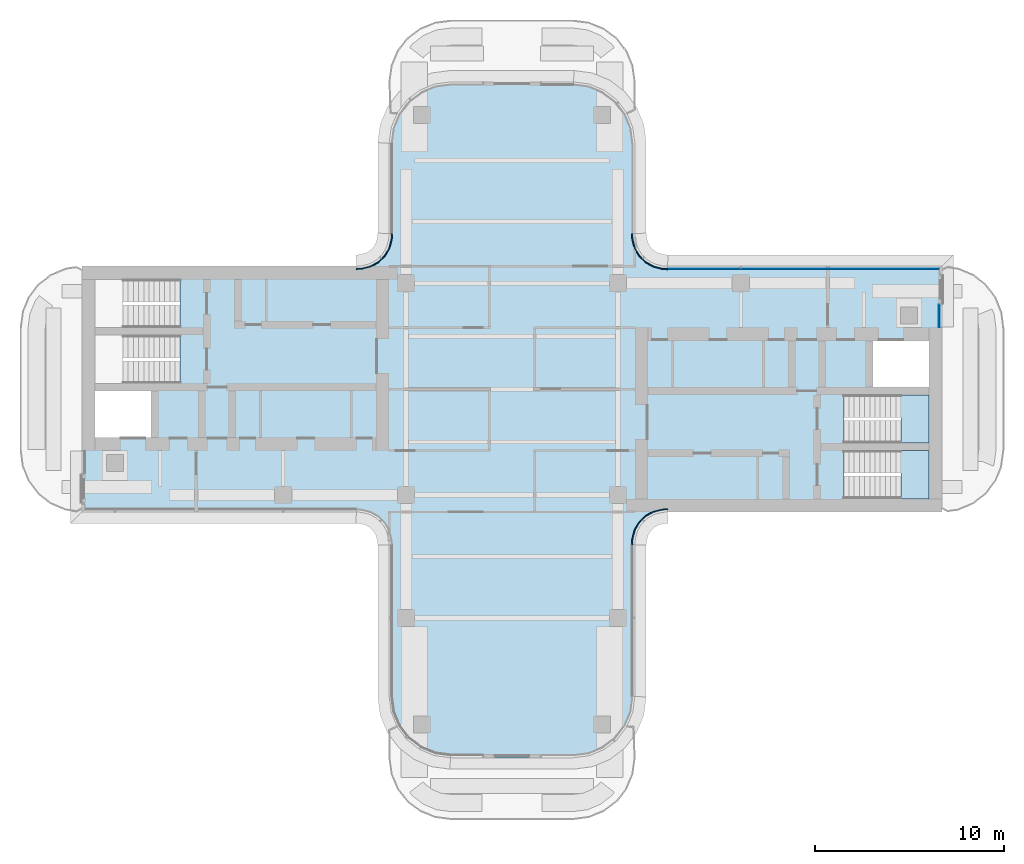
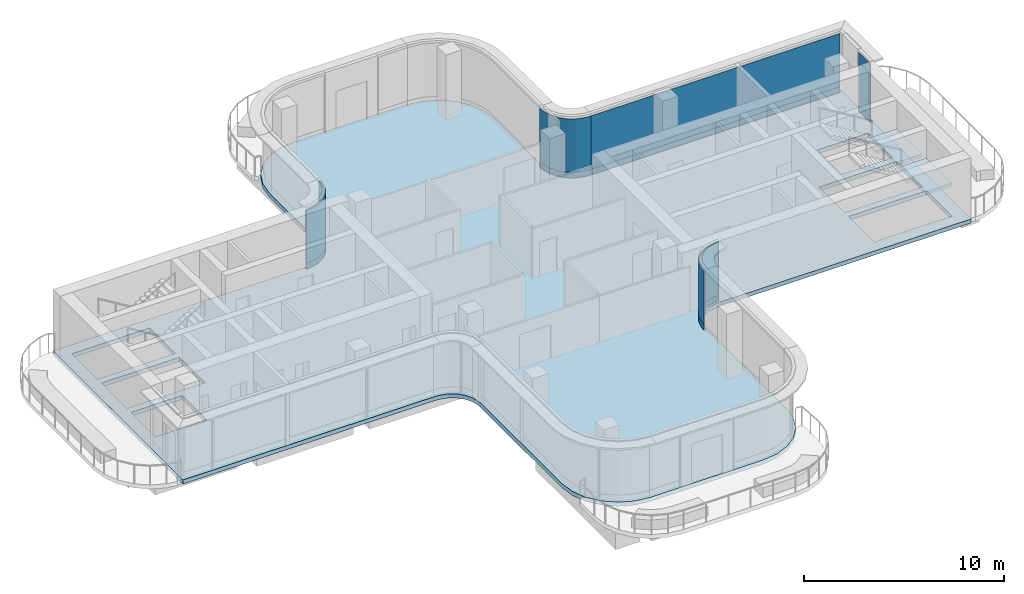
# One storey, part 10 of 18: 10 plates, 3 slabs, 7 elements without a shape of their own.
"""IFC4 building model written with IfcOpenShell, lengths in metres."""

from ifc_helpers import new_model, si_unit, direction, frame, origin, place, context, subcontext, project, spatial, polyline, outline, extrude, source, transform, mapped, material, layer, layer_set, type_object, element, aggregate, save


model = new_model("IFC4")

# Units and contexts
model_context = context("Model", 3, precision=1e-05, world=origin(), true_north=direction((0.0, 1.0)))
body_context = subcontext(model_context, "Body", "Model", "MODEL_VIEW")
ifc_project = project(units=[si_unit("LENGTHUNIT", "METRE"), si_unit("AREAUNIT", "SQUARE_METRE"), si_unit("VOLUMEUNIT", "CUBIC_METRE"), si_unit("PLANEANGLEUNIT", "RADIAN"), si_unit("MASSUNIT", "GRAM", prefix="KILO")], contexts=[model_context])

# Site, building, storey
site_placement = place(None, origin())
site = spatial("IfcSite", under=ifc_project, at=site_placement, CompositionType="ELEMENT")
building_placement = place(site_placement, origin())
building = spatial("IfcBuilding", under=site, at=building_placement, Name="Trellis Farm Tower", CompositionType="ELEMENT")
storey_placement = place(building_placement, frame((0.0, 0.0, 338.10009765625)))
storey = spatial("IfcBuildingStorey", under=building, at=storey_placement, Name="L76", CompositionType="ELEMENT", Elevation=338.10009765625)

# Curtain wall, plates
ifc_material_1 = material(Name="Aluminium and glass curtain wall", Category="aluminium")
ifc_layer_1 = layer(ifc_material_1, 0.176025390625)
ifc_layer_set_1 = layer_set([ifc_layer_1], Name="CROWN LANTERN CURTAIN WALL CW5")
curtain_wall_type = type_object("IfcCurtainWallType", Name="CROWN LANTERN CURTAIN WALL CW5", PredefinedType="NOTDEFINED", material=ifc_layer_set_1)
placement_1 = place(storey_placement, origin())
curtain_wall_1 = element("IfcCurtainWall", 1, at=placement_1, inside=storey, type_object=curtain_wall_type, Name="CW5 006", PredefinedType="NOTDEFINED")
ifc_material_2 = material(Name="Clear insulated glass", Category="glass")
ifc_layer_2 = layer(ifc_material_2, 0.055908203125)
ifc_layer_set_2 = layer_set([ifc_layer_2], Name="CW5 GLASS PANEL 56")
plate_type_1 = type_object("IfcPlateType", Name="CW5 GLASS PANEL 56", PredefinedType="CURTAIN_PANEL", material=ifc_layer_set_2)
placement_2 = place(storey_placement, frame((0.0, 0.0, 0.349853515625)))
plate_1 = element("IfcPlate", 2, at=placement_2, type_object=plate_type_1, Name="PL5 006", PredefinedType="CURTAIN_PANEL", context=body_context, shape_type="SweptSolid", body=[
    extrude(outline(polyline([(22.6298828125, 3.280029296875), (22.6298828125, 4.4599609375), (22.573974609375, 4.4599609375), (22.573974609375, 3.280029296875), (22.6298828125, 3.280029296875)])), origin(), (0.0, 0.0, 1.0), 3.25),
])
ifc_material_3 = material(Name="Sandstone faced insulated panel", Category="masonry")
ifc_layer_3 = layer(ifc_material_3, 0.044921875)
ifc_layer_set_3 = layer_set([ifc_layer_3], Name="CW5 STONE SPANDREL PANEL 45")
plate_type_2 = type_object("IfcPlateType", Name="CW5 STONE SPANDREL PANEL 45", PredefinedType="CURTAIN_PANEL", material=ifc_layer_set_3)
plate_2 = element("IfcPlate", 3, at=placement_1, type_object=plate_type_2, Name="PS5 006", PredefinedType="CURTAIN_PANEL", context=body_context, shape_type="SweptSolid", body=[
    extrude(outline(polyline([(22.6298828125, 3.280029296875), (22.6298828125, 4.4599609375), (22.5849609375, 4.4599609375), (22.5849609375, 3.280029296875), (22.6298828125, 3.280029296875)])), origin(), (0.0, 0.0, 1.0), 0.349853515625),
])
aggregate(curtain_wall_1, [plate_1, plate_2])

# Slab
ifc_material_4 = material(Name="Concrete C40/50", Category="concrete")
ifc_layer_4 = layer(ifc_material_4, 0.25)
ifc_layer_set_4 = layer_set([ifc_layer_4], Name="Composite deck floor slab 250")
slab_type_1 = type_object("IfcSlabType", Name="Composite deck floor slab 250", PredefinedType="FLOOR", material=ifc_layer_set_4)
shared_shape_1 = source(origin(), body_context, "Body", "SweptSolid", [
    extrude(outline(polyline([(-22.75, 6.5), (-8.2314453125, 6.5), (-8.01953125, 6.513916015625), (-7.91552734375, 6.527587890625), (-7.508544921875, 6.63671875), (-7.144287109375, 6.846923828125), (-6.846923828125, 7.144287109375), (-6.63671875, 7.508544921875), (-6.527587890625, 7.91552734375), (-6.513916015625, 8.01953125), (-6.5, 8.2314453125), (-6.5, 13.0), (-6.389404296875, 13.84130859375), (-6.064697265625, 14.625), (-5.548095703125, 15.298095703125), (-4.875, 15.814697265625), (-4.09130859375, 16.139404296875), (-3.25, 16.25), (3.25, 16.25), (4.09130859375, 16.139404296875), (4.875, 15.814697265625), (5.548095703125, 15.298095703125), (6.064697265625, 14.625), (6.389404296875, 13.84130859375), (6.5, 13.0), (6.5, 8.2314453125), (6.513916015625, 8.01953125), (6.527587890625, 7.91552734375), (6.63671875, 7.508544921875), (6.846923828125, 7.144287109375), (7.144287109375, 6.846923828125), (7.508544921875, 6.63671875), (7.91552734375, 6.527587890625), (8.01953125, 6.513916015625), (8.2314453125, 6.5), (22.75, 6.5), (22.75, -6.5), (8.2314453125, -6.5), (8.01953125, -6.513916015625), (7.91552734375, -6.527587890625), (7.508544921875, -6.63671875), (7.144287109375, -6.846923828125), (6.846923828125, -7.144287109375), (6.63671875, -7.508544921875), (6.527587890625, -7.91552734375), (6.513916015625, -8.01953125), (6.5, -8.2314453125), (6.5, -16.25), (6.389404296875, -17.09130859375), (6.064697265625, -17.875), (5.548095703125, -18.548095703125), (4.875, -19.064697265625), (4.09130859375, -19.389404296875), (3.25, -19.5), (-3.25, -19.5), (-4.09130859375, -19.389404296875), (-4.875, -19.064697265625), (-5.548095703125, -18.548095703125), (-6.064697265625, -17.875), (-6.389404296875, -17.09130859375), (-6.5, -16.25), (-6.5, -8.2314453125), (-6.513916015625, -8.01953125), (-6.527587890625, -7.91552734375), (-6.63671875, -7.508544921875), (-6.846923828125, -7.144287109375), (-7.144287109375, -6.846923828125), (-7.508544921875, -6.63671875), (-7.91552734375, -6.527587890625), (-8.01953125, -6.513916015625), (-8.2314453125, -6.5), (-22.75, -6.5), (-22.75, 6.5)]), holes=[polyline([(22.050048828125, -5.800048828125), (22.050048828125, -3.25), (17.56005859375, -3.25), (17.56005859375, -4.449951171875), (17.550048828125, -4.449951171875), (17.550048828125, -4.60009765625), (17.56201171875, -4.60009765625), (17.56201171875, -5.800048828125), (22.050048828125, -5.800048828125)]), polyline([(17.56201171875, -2.85009765625), (22.050048828125, -2.85009765625), (22.050048828125, -0.300048828125), (17.56005859375, -0.300048828125), (17.56005859375, -1.5), (17.550048828125, -1.5), (17.550048828125, -1.64990234375), (17.56201171875, -1.64990234375), (17.56201171875, -2.85009765625)]), polyline([(-22.050048828125, -2.550048828125), (-19.10009765625, -2.550048828125), (-19.10009765625, -0.10009765625), (-22.050048828125, -0.10009765625), (-22.050048828125, -2.550048828125)]), polyline([(19.10009765625, 2.550048828125), (19.10009765625, 0.10009765625), (22.050048828125, 0.10009765625), (22.050048828125, 2.550048828125), (19.10009765625, 2.550048828125)]), polyline([(-17.56201171875, 2.85009765625), (-22.050048828125, 2.85009765625), (-22.050048828125, 0.300048828125), (-17.56005859375, 0.300048828125), (-17.56005859375, 1.5), (-17.550048828125, 1.5), (-17.550048828125, 1.64990234375), (-17.56201171875, 1.64990234375), (-17.56201171875, 2.85009765625)]), polyline([(-17.56201171875, 5.800048828125), (-22.050048828125, 5.800048828125), (-22.050048828125, 3.25), (-17.56005859375, 3.25), (-17.56005859375, 4.449951171875), (-17.550048828125, 4.449951171875), (-17.550048828125, 4.60009765625), (-17.56201171875, 4.60009765625), (-17.56201171875, 5.800048828125)])]), origin(), (0.0, 0.0, 1.0), 0.25),
])
slab_1_placement = place(storey_placement, frame((0.0, 0.0, -0.25)))
element("IfcSlab", 4, at=slab_1_placement, inside=storey, type_object=slab_type_1, Name="Floor slab", PredefinedType="FLOOR", context=body_context, shape_type="MappedRepresentation", body=[
    mapped(shared_shape_1, transform((0.0, 0.0, 0.0))),
])

# Stair, slab
ifc_material_5 = material(Name="Concrete C50/60", Category="concrete")
stair_type = type_object("IfcStairType", Name="CORE EXIT STAIR 24 RISERS 167 MM", PredefinedType="HALF_TURN_STAIR", material=ifc_material_5)
stair_1 = element("IfcStair", 5, at=placement_1, inside=storey, type_object=stair_type, Name="Exit stair E1", PredefinedType="HALF_TURN_STAIR")
ifc_layer_5 = layer(ifc_material_5, 0.179931640625)
ifc_layer_set_5 = layer_set([ifc_layer_5], Name="CORE STAIR LANDING 180 CONCRETE C50/60")
slab_type_2 = type_object("IfcSlabType", Name="CORE STAIR LANDING 180 CONCRETE C50/60", PredefinedType="LANDING", material=ifc_layer_set_5)
shared_shape_2 = source(origin(), body_context, "Body", "SweptSolid", [
    extrude(outline(polyline([(20.56494140625, -5.800048828125), (20.56494140625, -4.60009765625), (20.574951171875, -4.60009765625), (20.574951171875, -4.449951171875), (20.21240234375, -4.449951171875), (20.21240234375, -3.25), (20.574951171875, -3.25), (22.050048828125, -3.25), (22.050048828125, -5.800048828125), (20.574951171875, -5.800048828125), (20.56494140625, -5.800048828125)])), origin(), (0.0, 0.0, 1.0), 0.18017578125),
])
placement_3 = place(storey_placement, frame((0.0, 0.0, 1.81982421875)))
slab_2 = element("IfcSlab", 6, at=placement_3, type_object=slab_type_2, Name="STE1 landing 1", PredefinedType="LANDING", context=body_context, shape_type="MappedRepresentation", body=[
    mapped(shared_shape_2, transform((0.0, 0.0, 0.0))),
])
aggregate(stair_1, [slab_2])

stair_2 = element("IfcStair", 7, at=placement_1, inside=storey, type_object=stair_type, Name="Exit stair E2", PredefinedType="HALF_TURN_STAIR")
shared_shape_3 = source(origin(), body_context, "Body", "SweptSolid", [
    extrude(outline(polyline([(20.56494140625, -2.85009765625), (20.56494140625, -1.64990234375), (20.574951171875, -1.64990234375), (20.574951171875, -1.5), (20.21240234375, -1.5), (20.21240234375, -0.300048828125), (20.574951171875, -0.300048828125), (22.050048828125, -0.300048828125), (22.050048828125, -2.85009765625), (20.574951171875, -2.85009765625), (20.56494140625, -2.85009765625)])), origin(), (0.0, 0.0, 1.0), 0.18017578125),
])
slab_3 = element("IfcSlab", 8, at=placement_3, type_object=slab_type_2, Name="STE2 landing 1", PredefinedType="LANDING", context=body_context, shape_type="MappedRepresentation", body=[
    mapped(shared_shape_3, transform((0.0, 0.0, 0.0))),
])
aggregate(stair_2, [slab_3])

# Curtain wall, plates
curtain_wall_2 = element("IfcCurtainWall", 9, at=placement_1, inside=storey, type_object=curtain_wall_type, Name="CW5 005", PredefinedType="NOTDEFINED")
shared_shape_4 = source(origin(), body_context, "Body", "SweptSolid", [
    extrude(outline(polyline([(6.3798828125, -8.2275390625), (6.394287109375, -8.0078125), (6.40966796875, -7.89208984375), (6.52490234375, -7.462158203125), (6.7509765625, -7.070556640625), (7.070556640625, -6.7509765625), (7.462158203125, -6.52490234375), (7.89208984375, -6.40966796875), (8.0078125, -6.394287109375), (8.2275390625, -6.3798828125), (8.2255859375, -6.323974609375), (8.002197265625, -6.338623046875), (7.881103515625, -6.3544921875), (7.440673828125, -6.47265625), (7.0361328125, -6.7060546875), (6.7060546875, -7.0361328125), (6.47265625, -7.440673828125), (6.3544921875, -7.881103515625), (6.338623046875, -8.002197265625), (6.323974609375, -8.2255859375), (6.3798828125, -8.2275390625)])), origin(), (0.0, 0.0, 1.0), 3.25),
])
plate_3 = element("IfcPlate", 10, at=placement_2, type_object=plate_type_1, Name="PL5 005", PredefinedType="CURTAIN_PANEL", context=body_context, shape_type="MappedRepresentation", body=[
    mapped(shared_shape_4, transform((0.0, 0.0, 0.0))),
])
shared_shape_5 = source(origin(), body_context, "Body", "SweptSolid", [
    extrude(outline(polyline([(6.3798828125, -8.2275390625), (6.394287109375, -8.0078125), (6.40966796875, -7.89208984375), (6.52490234375, -7.462158203125), (6.7509765625, -7.070556640625), (7.070556640625, -6.7509765625), (7.462158203125, -6.52490234375), (7.89208984375, -6.40966796875), (8.0078125, -6.394287109375), (8.2275390625, -6.3798828125), (8.22607421875, -6.3349609375), (8.00341796875, -6.349609375), (7.88330078125, -6.365478515625), (7.44482421875, -6.48291015625), (7.04296875, -6.71484375), (6.71484375, -7.04296875), (6.48291015625, -7.44482421875), (6.365478515625, -7.88330078125), (6.349609375, -8.00341796875), (6.3349609375, -8.22607421875), (6.3798828125, -8.2275390625)])), origin(), (0.0, 0.0, 1.0), 0.349853515625),
])
plate_4 = element("IfcPlate", 11, at=placement_1, type_object=plate_type_2, Name="PS5 005", PredefinedType="CURTAIN_PANEL", context=body_context, shape_type="MappedRepresentation", body=[
    mapped(shared_shape_5, transform((0.0, 0.0, 0.0))),
])
aggregate(curtain_wall_2, [plate_3, plate_4])

curtain_wall_3 = element("IfcCurtainWall", 12, at=placement_1, inside=storey, type_object=curtain_wall_type, Name="CW5 008", PredefinedType="NOTDEFINED")
shared_shape_6 = source(origin(), body_context, "Body", "SweptSolid", [
    extrude(outline(polyline([(22.6298828125, 6.3798828125), (8.2275390625, 6.3798828125), (8.2255859375, 6.323974609375), (22.573974609375, 6.323974609375), (22.6298828125, 6.3798828125)])), origin(), (0.0, 0.0, 1.0), 3.25),
])
plate_5 = element("IfcPlate", 13, at=placement_2, type_object=plate_type_1, Name="PL5 008", PredefinedType="CURTAIN_PANEL", context=body_context, shape_type="MappedRepresentation", body=[
    mapped(shared_shape_6, transform((0.0, 0.0, 0.0))),
])
shared_shape_7 = source(origin(), body_context, "Body", "SweptSolid", [
    extrude(outline(polyline([(22.6298828125, 6.3798828125), (8.2275390625, 6.3798828125), (8.22607421875, 6.3349609375), (22.5849609375, 6.3349609375), (22.6298828125, 6.3798828125)])), origin(), (0.0, 0.0, 1.0), 0.349853515625),
])
plate_6 = element("IfcPlate", 14, at=placement_1, type_object=plate_type_2, Name="PS5 008", PredefinedType="CURTAIN_PANEL", context=body_context, shape_type="MappedRepresentation", body=[
    mapped(shared_shape_7, transform((0.0, 0.0, 0.0))),
])
aggregate(curtain_wall_3, [plate_5, plate_6])

curtain_wall_4 = element("IfcCurtainWall", 15, at=placement_1, inside=storey, type_object=curtain_wall_type, Name="CW5 009", PredefinedType="NOTDEFINED")
shared_shape_8 = source(origin(), body_context, "Body", "SweptSolid", [
    extrude(outline(polyline([(8.2275390625, 6.3798828125), (8.0078125, 6.394287109375), (7.89208984375, 6.40966796875), (7.462158203125, 6.52490234375), (7.070556640625, 6.7509765625), (6.7509765625, 7.070556640625), (6.52490234375, 7.462158203125), (6.40966796875, 7.89208984375), (6.394287109375, 8.0078125), (6.3798828125, 8.2275390625), (6.323974609375, 8.2255859375), (6.338623046875, 8.002197265625), (6.3544921875, 7.881103515625), (6.47265625, 7.440673828125), (6.7060546875, 7.0361328125), (7.0361328125, 6.7060546875), (7.440673828125, 6.47265625), (7.881103515625, 6.3544921875), (8.002197265625, 6.338623046875), (8.2255859375, 6.323974609375), (8.2275390625, 6.3798828125)])), origin(), (0.0, 0.0, 1.0), 3.25),
])
plate_7 = element("IfcPlate", 16, at=placement_2, type_object=plate_type_1, Name="PL5 009", PredefinedType="CURTAIN_PANEL", context=body_context, shape_type="MappedRepresentation", body=[
    mapped(shared_shape_8, transform((0.0, 0.0, 0.0))),
])
shared_shape_9 = source(origin(), body_context, "Body", "SweptSolid", [
    extrude(outline(polyline([(8.2275390625, 6.3798828125), (8.0078125, 6.394287109375), (7.89208984375, 6.40966796875), (7.462158203125, 6.52490234375), (7.070556640625, 6.7509765625), (6.7509765625, 7.070556640625), (6.52490234375, 7.462158203125), (6.40966796875, 7.89208984375), (6.394287109375, 8.0078125), (6.3798828125, 8.2275390625), (6.3349609375, 8.22607421875), (6.349609375, 8.00341796875), (6.365478515625, 7.88330078125), (6.48291015625, 7.44482421875), (6.71484375, 7.04296875), (7.04296875, 6.71484375), (7.44482421875, 6.48291015625), (7.88330078125, 6.365478515625), (8.00341796875, 6.349609375), (8.22607421875, 6.3349609375), (8.2275390625, 6.3798828125)])), origin(), (0.0, 0.0, 1.0), 0.349853515625),
])
plate_8 = element("IfcPlate", 17, at=placement_1, type_object=plate_type_2, Name="PS5 009", PredefinedType="CURTAIN_PANEL", context=body_context, shape_type="MappedRepresentation", body=[
    mapped(shared_shape_9, transform((0.0, 0.0, 0.0))),
])
aggregate(curtain_wall_4, [plate_7, plate_8])

curtain_wall_5 = element("IfcCurtainWall", 18, at=placement_1, inside=storey, type_object=curtain_wall_type, Name="CW5 014", PredefinedType="NOTDEFINED")
shared_shape_10 = source(origin(), body_context, "Body", "SweptSolid", [
    extrude(outline(polyline([(-6.3798828125, 8.2275390625), (-6.394287109375, 8.0078125), (-6.40966796875, 7.89208984375), (-6.52490234375, 7.462158203125), (-6.7509765625, 7.070556640625), (-7.070556640625, 6.7509765625), (-7.462158203125, 6.52490234375), (-7.89208984375, 6.40966796875), (-8.0078125, 6.394287109375), (-8.2275390625, 6.3798828125), (-8.2255859375, 6.323974609375), (-8.002197265625, 6.338623046875), (-7.881103515625, 6.3544921875), (-7.440673828125, 6.47265625), (-7.0361328125, 6.7060546875), (-6.7060546875, 7.0361328125), (-6.47265625, 7.440673828125), (-6.3544921875, 7.881103515625), (-6.338623046875, 8.002197265625), (-6.323974609375, 8.2255859375), (-6.3798828125, 8.2275390625)])), origin(), (0.0, 0.0, 1.0), 3.25),
])
plate_9 = element("IfcPlate", 19, at=placement_2, type_object=plate_type_1, Name="PL5 014", PredefinedType="CURTAIN_PANEL", context=body_context, shape_type="MappedRepresentation", body=[
    mapped(shared_shape_10, transform((0.0, 0.0, 0.0))),
])
shared_shape_11 = source(origin(), body_context, "Body", "SweptSolid", [
    extrude(outline(polyline([(-6.3798828125, 8.2275390625), (-6.394287109375, 8.0078125), (-6.40966796875, 7.89208984375), (-6.52490234375, 7.462158203125), (-6.7509765625, 7.070556640625), (-7.070556640625, 6.7509765625), (-7.462158203125, 6.52490234375), (-7.89208984375, 6.40966796875), (-8.0078125, 6.394287109375), (-8.2275390625, 6.3798828125), (-8.22607421875, 6.3349609375), (-8.00341796875, 6.349609375), (-7.88330078125, 6.365478515625), (-7.44482421875, 6.48291015625), (-7.04296875, 6.71484375), (-6.71484375, 7.04296875), (-6.48291015625, 7.44482421875), (-6.365478515625, 7.88330078125), (-6.349609375, 8.00341796875), (-6.3349609375, 8.22607421875), (-6.3798828125, 8.2275390625)])), origin(), (0.0, 0.0, 1.0), 0.349853515625),
])
plate_10 = element("IfcPlate", 20, at=placement_1, type_object=plate_type_2, Name="PS5 014", PredefinedType="CURTAIN_PANEL", context=body_context, shape_type="MappedRepresentation", body=[
    mapped(shared_shape_11, transform((0.0, 0.0, 0.0))),
])
aggregate(curtain_wall_5, [plate_9, plate_10])

save(model, "model.ifc")
